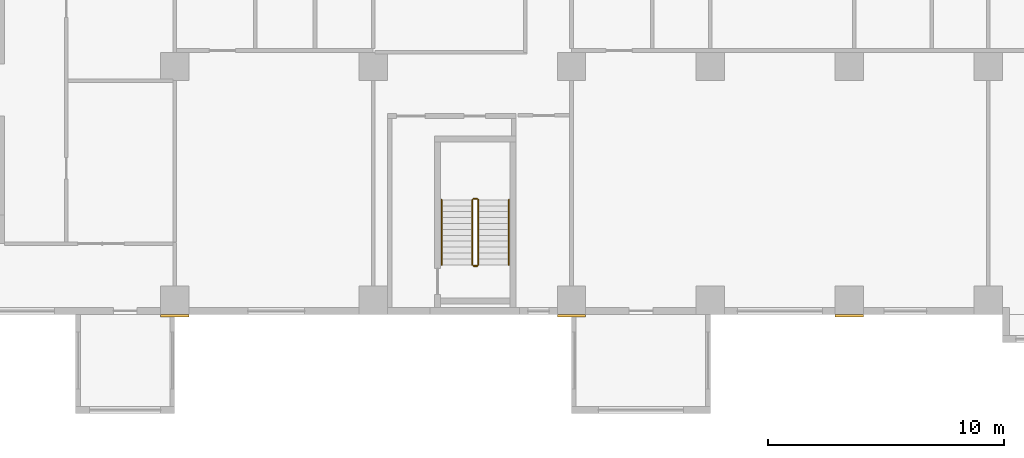
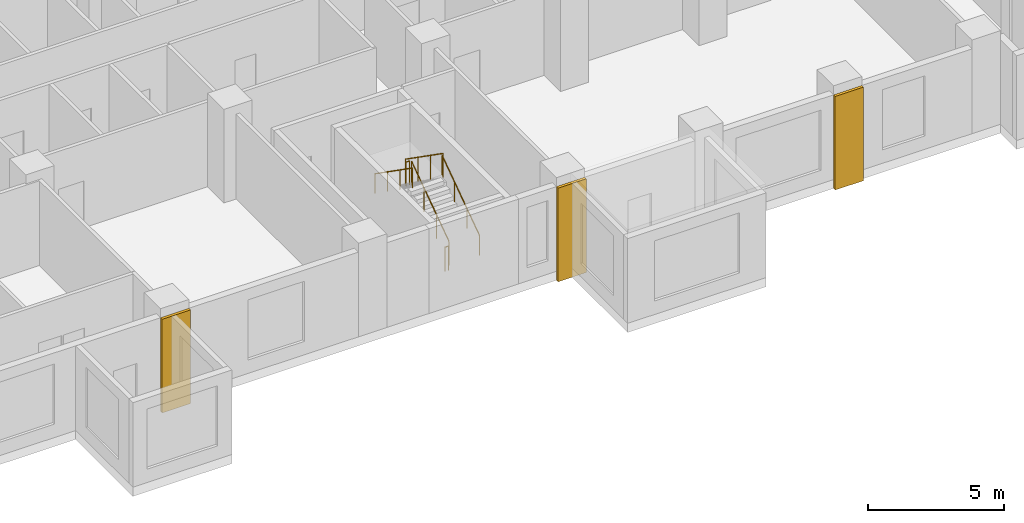
# One storey, part 12 of 14: 6 railings, 3 coverings.
"""IFC4 building model written with IfcOpenShell, lengths in metres."""

from ifc_helpers import new_model, si_unit, direction, frame, origin, origin_2d, place, context, subcontext, project, spatial, rectangle, circle, extrude, source, transform, mapped, material, type_object, element, save


model = new_model("IFC4")

# Units and contexts
model_context = context("Model", 3, precision=1e-05, world=origin(), true_north=direction((0.0, 1.0)))
body_context = subcontext(model_context, "Body", "Model", "MODEL_VIEW")
ifc_project = project(units=[si_unit("LENGTHUNIT", "METRE"), si_unit("AREAUNIT", "SQUARE_METRE"), si_unit("VOLUMEUNIT", "CUBIC_METRE"), si_unit("PLANEANGLEUNIT", "RADIAN"), si_unit("MASSUNIT", "GRAM", prefix="KILO")], contexts=[model_context])

# Site, building, storey
site_placement = place(None, origin())
site = spatial("IfcSite", under=ifc_project, at=site_placement, CompositionType="ELEMENT")
building_placement = place(site_placement, origin())
building = spatial("IfcBuilding", under=site, at=building_placement, Name="Aurelian Terraces", CompositionType="ELEMENT")
storey_placement = place(building_placement, frame((0.0, 0.0, 78.3)))
storey = spatial("IfcBuildingStorey", under=building, at=storey_placement, Name="L16", CompositionType="ELEMENT", Elevation=78.3)

# Coverings
ifc_material_1 = material(Name="Terracotta rainscreen cladding relief", Category="masonry")
covering_type = type_object("IfcCoveringType", Name="BAGUETTE-TC", PredefinedType="CLADDING", material=ifc_material_1)
shared_shape_1 = source(origin(), body_context, "Body", "SweptSolid", [
    extrude(rectangle(XDim=1.2, YDim=0.12, at=origin_2d()), origin(), (0.0, 0.0, 1.0), 4.2),
])
for number, where, z_axis, x_axis, name in (
    (1, (29.4, -0.06, -0.4), (0.0, 0.0, 1.0), (1.0, 0.0, 0.0), "BAGUETTE pier L16 2"),
    (2, (46.2, -0.06, -0.4), (0.0, 0.0, 1.0), (1.0, 0.0, 0.0), "BAGUETTE pier L16 3"),
    (3, (57.96, -0.06, -0.4), (0.0, 0.0, 1.0), (1.0, 0.0, 0.0), "BAGUETTE pier L16 4"),
):
    element("IfcCovering", number, at=place(storey_placement, frame(where, z_axis=z_axis, x_axis=x_axis)), inside=storey, type_object=covering_type, Name=name, PredefinedType="CLADDING", context=body_context, shape_type="MappedRepresentation", body=[
        mapped(shared_shape_1, transform((0.0, 0.0, 0.0), scale=1.0)),
    ])

# Railings
ifc_material_2 = material(Name="Stainless steel", Category="steel")
railing_type_1 = type_object("IfcRailingType", Name="Stair guard 1100", PredefinedType="GUARDRAIL", material=ifc_material_2)
shared_shape_2 = source(origin(), body_context, "Body", "SweptSolid", [
    extrude(circle(Radius=0.024, at=origin_2d()), frame((0.0, 0.0, 1.076), z_axis=(-1.0, 0.0, 0.0), x_axis=(0.0, -1.0, 0.0)), (0.0, 0.0, 1.0), 0.15),
    extrude(circle(Radius=0.021, at=origin_2d()), origin(), (0.0, 0.0, 1.0), 1.052),
    extrude(circle(Radius=0.021, at=origin_2d()), frame((-0.15, 0.0, 0.0)), (0.0, 0.0, 1.0), 1.052),
])
for number, where, name in (
    (4, (42.2, 4.9, 2.1), "L16 S2 stair guard 2"),
    (5, (42.2, 2.05, 0.0), "L16 S2 stair guard 4"),
):
    element("IfcRailing", number, at=place(storey_placement, frame(where)), inside=storey, type_object=railing_type_1, Name=name, PredefinedType="GUARDRAIL", context=body_context, shape_type="MappedRepresentation", body=[
        mapped(shared_shape_2, transform((0.0, 0.0, 0.0), scale=1.0)),
    ])
shared_shape_3 = source(origin(), body_context, "Body", "SweptSolid", [
    extrude(circle(Radius=0.024, at=origin_2d()), frame((0.0, 0.0, 1.076), z_axis=(0.0, 0.819231920519, 0.573462344363), x_axis=(-1.0, 0.0, 0.0)), (0.0, 0.0, 1.0), 3.3568),
    extrude(circle(Radius=0.021, at=origin_2d()), origin(), (0.0, 0.0, 1.0), 1.052),
    extrude(circle(Radius=0.021, at=origin_2d()), frame((0.0, 0.9167, 0.6417)), (0.0, 0.0, 1.0), 1.052),
    extrude(circle(Radius=0.021, at=origin_2d()), frame((0.0, 1.8333, 1.2833)), (0.0, 0.0, 1.0), 1.052),
    extrude(circle(Radius=0.021, at=origin_2d()), frame((0.0, 2.75, 1.925)), (0.0, 0.0, 1.0), 1.052),
])
railing_1_placement = place(storey_placement, frame((42.25, 2.1, 0.175)))
element("IfcRailing", 6, at=railing_1_placement, inside=storey, type_object=railing_type_1, Name="L16 S2 stair guard 1", PredefinedType="GUARDRAIL", context=body_context, shape_type="MappedRepresentation", body=[
    mapped(shared_shape_3, transform((0.0, 0.0, 0.0), scale=1.0)),
])
shared_shape_4 = source(origin(), body_context, "Body", "SweptSolid", [
    extrude(circle(Radius=0.024, at=origin_2d()), frame((0.0, 0.0, 1.076), z_axis=(0.0, -0.819231920519, 0.573462344363), x_axis=(1.0, 0.0, 0.0)), (0.0, 0.0, 1.0), 3.3568),
    extrude(circle(Radius=0.021, at=origin_2d()), origin(), (0.0, 0.0, 1.0), 1.052),
    extrude(circle(Radius=0.021, at=origin_2d()), frame((0.0, -0.9167, 0.6417)), (0.0, 0.0, 1.0), 1.052),
    extrude(circle(Radius=0.021, at=origin_2d()), frame((0.0, -1.8333, 1.2833)), (0.0, 0.0, 1.0), 1.052),
    extrude(circle(Radius=0.021, at=origin_2d()), frame((0.0, -2.75, 1.925)), (0.0, 0.0, 1.0), 1.052),
])
railing_2_placement = place(storey_placement, frame((42.0, 4.85, 2.275)))
element("IfcRailing", 7, at=railing_2_placement, inside=storey, type_object=railing_type_1, Name="L16 S2 stair guard 3", PredefinedType="GUARDRAIL", context=body_context, shape_type="MappedRepresentation", body=[
    mapped(shared_shape_4, transform((0.0, 0.0, 0.0), scale=1.0)),
])
railing_type_2 = type_object("IfcRailingType", Name="Stair handrail", PredefinedType="HANDRAIL", material=ifc_material_2)
shared_shape_5 = source(origin(), body_context, "Body", "SweptSolid", [
    extrude(circle(Radius=0.024, at=origin_2d()), frame((0.0, 0.0, 0.876), z_axis=(0.0, 0.819231920519, 0.573462344363), x_axis=(-1.0, 0.0, 0.0)), (0.0, 0.0, 1.0), 3.3568),
    extrude(circle(Radius=0.021, at=origin_2d()), origin(), (0.0, 0.0, 1.0), 0.852),
    extrude(circle(Radius=0.021, at=origin_2d()), frame((0.0, 0.9167, 0.6417)), (0.0, 0.0, 1.0), 0.852),
    extrude(circle(Radius=0.021, at=origin_2d()), frame((0.0, 1.8333, 1.2833)), (0.0, 0.0, 1.0), 0.852),
    extrude(circle(Radius=0.021, at=origin_2d()), frame((0.0, 2.75, 1.925)), (0.0, 0.0, 1.0), 0.852),
])
railing_3_placement = place(storey_placement, frame((43.55, 2.1, 0.175)))
element("IfcRailing", 8, at=railing_3_placement, inside=storey, type_object=railing_type_2, Name="L16 S2 stair handrail 1", PredefinedType="HANDRAIL", context=body_context, shape_type="MappedRepresentation", body=[
    mapped(shared_shape_5, transform((0.0, 0.0, 0.0), scale=1.0)),
])
shared_shape_6 = source(origin(), body_context, "Body", "SweptSolid", [
    extrude(circle(Radius=0.024, at=origin_2d()), frame((0.0, 0.0, 0.876), z_axis=(0.0, -0.819231920519, 0.573462344363), x_axis=(1.0, 0.0, 0.0)), (0.0, 0.0, 1.0), 3.3568),
    extrude(circle(Radius=0.021, at=origin_2d()), origin(), (0.0, 0.0, 1.0), 0.852),
    extrude(circle(Radius=0.021, at=origin_2d()), frame((0.0, -0.9167, 0.6417)), (0.0, 0.0, 1.0), 0.852),
    extrude(circle(Radius=0.021, at=origin_2d()), frame((0.0, -1.8333, 1.2833)), (0.0, 0.0, 1.0), 0.852),
    extrude(circle(Radius=0.021, at=origin_2d()), frame((0.0, -2.75, 1.925)), (0.0, 0.0, 1.0), 0.852),
])
railing_4_placement = place(storey_placement, frame((40.7, 4.85, 2.275)))
element("IfcRailing", 9, at=railing_4_placement, inside=storey, type_object=railing_type_2, Name="L16 S2 stair handrail 2", PredefinedType="HANDRAIL", context=body_context, shape_type="MappedRepresentation", body=[
    mapped(shared_shape_6, transform((0.0, 0.0, 0.0), scale=1.0)),
])

save(model, "model.ifc")
